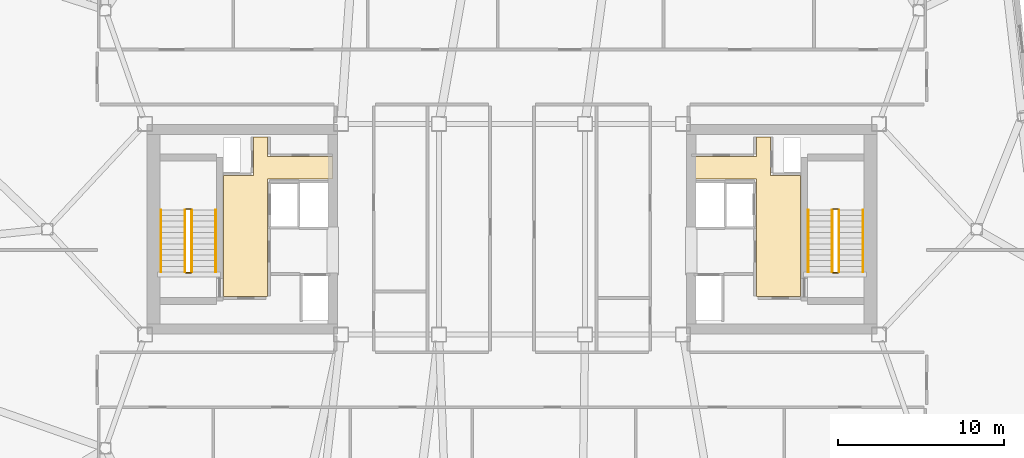
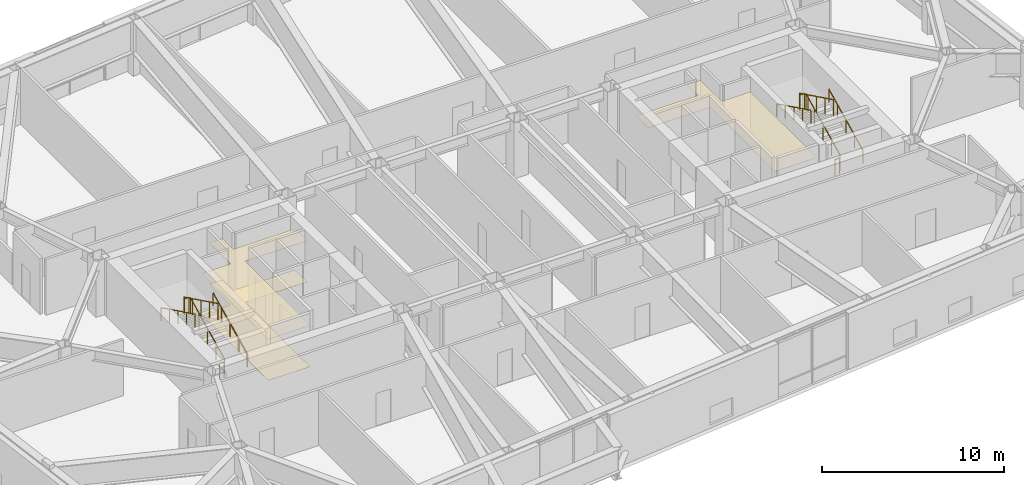
# One storey, part 19 of 20: 12 railings, 3 coverings.
"""IFC4 building model written with IfcOpenShell, lengths in metres."""

from ifc_helpers import new_model, si_unit, direction, frame, origin, origin_2d, place, context, subcontext, project, spatial, polyline, rectangle, outline, extrude, material, layer, layer_set, type_object, element, save


model = new_model("IFC4")

# Units and contexts
model_context = context("Model", 3, precision=1e-05, world=origin(), true_north=direction((0.0, 1.0)))
body_context = subcontext(model_context, "Body", "Model", "MODEL_VIEW")
ifc_project = project(units=[si_unit("LENGTHUNIT", "METRE"), si_unit("AREAUNIT", "SQUARE_METRE"), si_unit("VOLUMEUNIT", "CUBIC_METRE"), si_unit("PLANEANGLEUNIT", "RADIAN"), si_unit("MASSUNIT", "GRAM", prefix="KILO")], contexts=[model_context])

# Site, building, storey
site_placement = place(None, origin())
site = spatial("IfcSite", under=ifc_project, at=site_placement, CompositionType="ELEMENT")
building_placement = place(site_placement, origin())
building = spatial("IfcBuilding", under=site, at=building_placement, Name="Tavrogorsk Clinical Tower", CompositionType="ELEMENT")
storey_placement = place(building_placement, frame((0.0, 0.0, 214.199951171875)))
storey = spatial("IfcBuildingStorey", under=building, at=storey_placement, Name="L49", CompositionType="ELEMENT", Elevation=214.199951171875)

# Coverings
ifc_material_1 = material(Name="Antibacterial micro-perforated aluminium ceiling", Category="aluminium")
ifc_layer_1 = layer(ifc_material_1, 0.014892578125)
ifc_layer_set_1 = layer_set([ifc_layer_1], Name="Antibacterial micro-perforated aluminium ceiling")
covering_type_1 = type_object("IfcCoveringType", Name="ClinicalCeiling_15", PredefinedType="CEILING", material=ifc_layer_set_1)
covering_1_placement = place(storey_placement, frame((0.0, 0.0, 2.75)))
element("IfcCovering", 1, at=covering_1_placement, inside=storey, type_object=covering_type_1, Name="Core West Firefighting Lift Lobby Acoustic Ceiling", PredefinedType="CEILING", context=body_context, shape_type="SweptSolid", body=[
    extrude(outline(polyline([(-14.719970703125, 4.3798828125), (-10.800048828125, 4.3798828125), (-10.800048828125, 3.0400390625), (-14.719970703125, 3.0400390625), (-14.719970703125, -4.06005859375), (-17.3798828125, -4.06005859375), (-17.3798828125, 3.239990234375), (-15.56005859375, 3.239990234375), (-15.56005859375, 5.56005859375), (-14.719970703125, 5.56005859375), (-14.719970703125, 4.3798828125)])), origin(), (0.0, 0.0, 1.0), 0.01513671875),
])
covering_2_placement = place(storey_placement, frame((0.0, 0.0, 2.75)))
element("IfcCovering", 2, at=covering_2_placement, inside=storey, type_object=covering_type_1, Name="Core East Firefighting Lift Lobby Acoustic Ceiling", PredefinedType="CEILING", context=body_context, shape_type="SweptSolid", body=[
    extrude(outline(polyline([(14.719970703125, -4.06005859375), (14.719970703125, 3.0400390625), (10.800048828125, 3.0400390625), (10.800048828125, 4.3798828125), (14.719970703125, 4.3798828125), (14.719970703125, 5.56005859375), (15.56005859375, 5.56005859375), (15.56005859375, 3.239990234375), (17.3798828125, 3.239990234375), (17.3798828125, -4.06005859375), (14.719970703125, -4.06005859375)])), origin(), (0.0, 0.0, 1.0), 0.01513671875),
])
ifc_material_2 = material(Name="Homogeneous medical conductive PVC flooring")
ifc_layer_2 = layer(ifc_material_2, 0.008056640625)
ifc_layer_set_2 = layer_set([ifc_layer_2], Name="Homogeneous medical conductive PVC flooring")
covering_type_2 = type_object("IfcCoveringType", Name="ResilientVinylFloor_8", PredefinedType="FLOORING", material=ifc_layer_set_2)
covering_3_placement = place(storey_placement, origin())
element("IfcCovering", 3, at=covering_3_placement, inside=storey, type_object=covering_type_2, Name="Core West Firefighting Lift Lobby Conductive Vinyl Flooring", PredefinedType="FLOORING", context=body_context, shape_type="SweptSolid", body=[
    extrude(outline(polyline([(-14.719970703125, 4.3798828125), (-10.800048828125, 4.3798828125), (-10.800048828125, 3.0400390625), (-14.719970703125, 3.0400390625), (-14.719970703125, -4.06005859375), (-17.3798828125, -4.06005859375), (-17.3798828125, 3.239990234375), (-15.56005859375, 3.239990234375), (-15.56005859375, 5.56005859375), (-14.719970703125, 5.56005859375), (-14.719970703125, 4.3798828125)])), origin(), (0.0, 0.0, 1.0), 0.008056640625),
])

# Railings
ifc_material_3 = material(Name="Galvanised steel S355 safety stairwell guard", Category="steel")
ifc_layer_3 = layer(ifc_material_3, 0.06005859375)
ifc_layer_set_3 = layer_set([ifc_layer_3], Name="Galvanised steel S355 safety stairwell guard")
railing_type_1 = type_object("IfcRailingType", Name="StairGuard_1150", PredefinedType="GUARDRAIL", material=ifc_layer_set_3)
railing_1_placement = place(storey_placement, frame((-19.300048828125, -2.574951171875, 0.166748046875)))
element("IfcRailing", 4, at=railing_1_placement, inside=storey, type_object=railing_type_1, Name="L49 ST-W stair guard 1", PredefinedType="GUARDRAIL", context=body_context, shape_type="SweptSolid", body=[
    extrude(rectangle(XDim=0.048095703125, YDim=0.048095703125, at=origin_2d()), frame((0.0, 0.0, 1.076171875), z_axis=(0.0, 0.897927990467, 0.440142390523), x_axis=(-1.0, 0.0, 0.0)), (0.0, 0.0, 1.0), 4.1650390625),
    extrude(rectangle(XDim=0.0419921875, YDim=0.0419921875, at=origin_2d()), origin(), (0.0, 0.0, 1.0), 1.052001953125),
    extrude(rectangle(XDim=0.0419921875, YDim=0.0419921875, at=origin_2d()), frame((0.0, 0.93505859375, 0.458251953125)), (0.0, 0.0, 1.0), 1.052001953125),
    extrude(rectangle(XDim=0.0419921875, YDim=0.0419921875, at=origin_2d()), frame((0.0, 1.8701171875, 0.91650390625)), (0.0, 0.0, 1.0), 1.052001953125),
    extrude(rectangle(XDim=0.0419921875, YDim=0.0419921875, at=origin_2d()), frame((0.0, 2.804931640625, 1.375)), (0.0, 0.0, 1.0), 1.052001953125),
    extrude(rectangle(XDim=0.0419921875, YDim=0.0419921875, at=origin_2d()), frame((0.0, 3.739990234375, 1.833251953125)), (0.0, 0.0, 1.0), 1.052001953125),
])
railing_2_placement = place(storey_placement, frame((-19.35009765625, 1.215087890625, 2.0)))
element("IfcRailing", 5, at=railing_2_placement, inside=storey, type_object=railing_type_1, Name="L49 ST-W stair guard 2", PredefinedType="GUARDRAIL", context=body_context, shape_type="SweptSolid", body=[
    extrude(rectangle(XDim=0.048095703125, YDim=0.048095703125, at=origin_2d()), frame((0.0, 0.0, 1.076171875), z_axis=(-1.0, 0.0, 0.0), x_axis=(0.0, -1.0, 0.0)), (0.0, 0.0, 1.0), 0.2998046875),
    extrude(rectangle(XDim=0.0419921875, YDim=0.0419921875, at=origin_2d()), origin(), (0.0, 0.0, 1.0), 1.052001953125),
    extrude(rectangle(XDim=0.0419921875, YDim=0.0419921875, at=origin_2d()), frame((-0.2998046875, 0.0, 0.0)), (0.0, 0.0, 1.0), 1.052001953125),
])
railing_3_placement = place(storey_placement, frame((-19.699951171875, 1.1650390625, 2.166748046875)))
element("IfcRailing", 6, at=railing_3_placement, inside=storey, type_object=railing_type_1, Name="L49 ST-W stair guard 3", PredefinedType="GUARDRAIL", context=body_context, shape_type="SweptSolid", body=[
    extrude(rectangle(XDim=0.048095703125, YDim=0.048095703125, at=origin_2d()), frame((0.0, 0.0, 1.076171875), z_axis=(0.0, -0.897927990467, 0.440142390523), x_axis=(1.0, 0.0, 0.0)), (0.0, 0.0, 1.0), 4.1650390625),
    extrude(rectangle(XDim=0.0419921875, YDim=0.0419921875, at=origin_2d()), origin(), (0.0, 0.0, 1.0), 1.052001953125),
    extrude(rectangle(XDim=0.0419921875, YDim=0.0419921875, at=origin_2d()), frame((0.0, -0.93505859375, 0.458251953125)), (0.0, 0.0, 1.0), 1.052001953125),
    extrude(rectangle(XDim=0.0419921875, YDim=0.0419921875, at=origin_2d()), frame((0.0, -1.8701171875, 0.91650390625)), (0.0, 0.0, 1.0), 1.052001953125),
    extrude(rectangle(XDim=0.0419921875, YDim=0.0419921875, at=origin_2d()), frame((0.0, -2.804931640625, 1.375)), (0.0, 0.0, 1.0), 1.052001953125),
    extrude(rectangle(XDim=0.0419921875, YDim=0.0419921875, at=origin_2d()), frame((0.0, -3.739990234375, 1.833251953125)), (0.0, 0.0, 1.0), 1.052001953125),
])
railing_4_placement = place(storey_placement, frame((-19.35009765625, -2.625, 0.0)))
element("IfcRailing", 7, at=railing_4_placement, inside=storey, type_object=railing_type_1, Name="L49 ST-W stair guard 4", PredefinedType="GUARDRAIL", context=body_context, shape_type="SweptSolid", body=[
    extrude(rectangle(XDim=0.048095703125, YDim=0.048095703125, at=origin_2d()), frame((0.0, 0.0, 1.076171875), z_axis=(-1.0, 0.0, 0.0), x_axis=(0.0, -1.0, 0.0)), (0.0, 0.0, 1.0), 0.2998046875),
    extrude(rectangle(XDim=0.0419921875, YDim=0.0419921875, at=origin_2d()), origin(), (0.0, 0.0, 1.0), 1.052001953125),
    extrude(rectangle(XDim=0.0419921875, YDim=0.0419921875, at=origin_2d()), frame((-0.2998046875, 0.0, 0.0)), (0.0, 0.0, 1.0), 1.052001953125),
])
railing_5_placement = place(storey_placement, frame((19.699951171875, -2.574951171875, 0.166748046875)))
element("IfcRailing", 8, at=railing_5_placement, inside=storey, type_object=railing_type_1, Name="L49 ST-E stair guard 1", PredefinedType="GUARDRAIL", context=body_context, shape_type="SweptSolid", body=[
    extrude(rectangle(XDim=0.048095703125, YDim=0.048095703125, at=origin_2d()), frame((0.0, 0.0, 1.076171875), z_axis=(0.0, 0.897927990467, 0.440142390523), x_axis=(-1.0, 0.0, 0.0)), (0.0, 0.0, 1.0), 4.1650390625),
    extrude(rectangle(XDim=0.0419921875, YDim=0.0419921875, at=origin_2d()), origin(), (0.0, 0.0, 1.0), 1.052001953125),
    extrude(rectangle(XDim=0.0419921875, YDim=0.0419921875, at=origin_2d()), frame((0.0, 0.93505859375, 0.458251953125)), (0.0, 0.0, 1.0), 1.052001953125),
    extrude(rectangle(XDim=0.0419921875, YDim=0.0419921875, at=origin_2d()), frame((0.0, 1.8701171875, 0.91650390625)), (0.0, 0.0, 1.0), 1.052001953125),
    extrude(rectangle(XDim=0.0419921875, YDim=0.0419921875, at=origin_2d()), frame((0.0, 2.804931640625, 1.375)), (0.0, 0.0, 1.0), 1.052001953125),
    extrude(rectangle(XDim=0.0419921875, YDim=0.0419921875, at=origin_2d()), frame((0.0, 3.739990234375, 1.833251953125)), (0.0, 0.0, 1.0), 1.052001953125),
])
railing_6_placement = place(storey_placement, frame((19.64990234375, 1.215087890625, 2.0)))
element("IfcRailing", 9, at=railing_6_placement, inside=storey, type_object=railing_type_1, Name="L49 ST-E stair guard 2", PredefinedType="GUARDRAIL", context=body_context, shape_type="SweptSolid", body=[
    extrude(rectangle(XDim=0.048095703125, YDim=0.048095703125, at=origin_2d()), frame((0.0, 0.0, 1.076171875), z_axis=(-1.0, 0.0, 0.0), x_axis=(0.0, -1.0, 0.0)), (0.0, 0.0, 1.0), 0.2998046875),
    extrude(rectangle(XDim=0.0419921875, YDim=0.0419921875, at=origin_2d()), origin(), (0.0, 0.0, 1.0), 1.052001953125),
    extrude(rectangle(XDim=0.0419921875, YDim=0.0419921875, at=origin_2d()), frame((-0.2998046875, 0.0, 0.0)), (0.0, 0.0, 1.0), 1.052001953125),
])
railing_7_placement = place(storey_placement, frame((19.300048828125, 1.1650390625, 2.166748046875)))
element("IfcRailing", 10, at=railing_7_placement, inside=storey, type_object=railing_type_1, Name="L49 ST-E stair guard 3", PredefinedType="GUARDRAIL", context=body_context, shape_type="SweptSolid", body=[
    extrude(rectangle(XDim=0.048095703125, YDim=0.048095703125, at=origin_2d()), frame((0.0, 0.0, 1.076171875), z_axis=(0.0, -0.897927990467, 0.440142390523), x_axis=(1.0, 0.0, 0.0)), (0.0, 0.0, 1.0), 4.1650390625),
    extrude(rectangle(XDim=0.0419921875, YDim=0.0419921875, at=origin_2d()), origin(), (0.0, 0.0, 1.0), 1.052001953125),
    extrude(rectangle(XDim=0.0419921875, YDim=0.0419921875, at=origin_2d()), frame((0.0, -0.93505859375, 0.458251953125)), (0.0, 0.0, 1.0), 1.052001953125),
    extrude(rectangle(XDim=0.0419921875, YDim=0.0419921875, at=origin_2d()), frame((0.0, -1.8701171875, 0.91650390625)), (0.0, 0.0, 1.0), 1.052001953125),
    extrude(rectangle(XDim=0.0419921875, YDim=0.0419921875, at=origin_2d()), frame((0.0, -2.804931640625, 1.375)), (0.0, 0.0, 1.0), 1.052001953125),
    extrude(rectangle(XDim=0.0419921875, YDim=0.0419921875, at=origin_2d()), frame((0.0, -3.739990234375, 1.833251953125)), (0.0, 0.0, 1.0), 1.052001953125),
])
railing_8_placement = place(storey_placement, frame((19.64990234375, -2.625, 0.0)))
element("IfcRailing", 11, at=railing_8_placement, inside=storey, type_object=railing_type_1, Name="L49 ST-E stair guard 4", PredefinedType="GUARDRAIL", context=body_context, shape_type="SweptSolid", body=[
    extrude(rectangle(XDim=0.048095703125, YDim=0.048095703125, at=origin_2d()), frame((0.0, 0.0, 1.076171875), z_axis=(-1.0, 0.0, 0.0), x_axis=(0.0, -1.0, 0.0)), (0.0, 0.0, 1.0), 0.2998046875),
    extrude(rectangle(XDim=0.0419921875, YDim=0.0419921875, at=origin_2d()), origin(), (0.0, 0.0, 1.0), 1.052001953125),
    extrude(rectangle(XDim=0.0419921875, YDim=0.0419921875, at=origin_2d()), frame((-0.2998046875, 0.0, 0.0)), (0.0, 0.0, 1.0), 1.052001953125),
])
ifc_material_4 = material(Name="Stainless steel AISI 304 tubular handrail", Category="steel")
ifc_layer_4 = layer(ifc_material_4, 0.050048828125)
ifc_layer_set_4 = layer_set([ifc_layer_4], Name="Stainless steel AISI 304 tubular handrail")
railing_type_2 = type_object("IfcRailingType", Name="StairHandrail_920", PredefinedType="HANDRAIL", material=ifc_layer_set_4)
railing_9_placement = place(storey_placement, frame((-17.85009765625, -2.574951171875, 0.166748046875)))
element("IfcRailing", 12, at=railing_9_placement, inside=storey, type_object=railing_type_2, Name="L49 ST-W stair handrail 1", PredefinedType="HANDRAIL", context=body_context, shape_type="SweptSolid", body=[
    extrude(rectangle(XDim=0.048095703125, YDim=0.048095703125, at=origin_2d()), frame((0.0, 0.0, 0.8759765625), z_axis=(0.0, 0.897927990467, 0.440142390523), x_axis=(-1.0, 0.0, 0.0)), (0.0, 0.0, 1.0), 4.1650390625),
    extrude(rectangle(XDim=0.0419921875, YDim=0.0419921875, at=origin_2d()), origin(), (0.0, 0.0, 1.0), 0.851806640625),
    extrude(rectangle(XDim=0.0419921875, YDim=0.0419921875, at=origin_2d()), frame((0.0, 0.93505859375, 0.458251953125)), (0.0, 0.0, 1.0), 0.851806640625),
    extrude(rectangle(XDim=0.0419921875, YDim=0.0419921875, at=origin_2d()), frame((0.0, 1.8701171875, 0.91650390625)), (0.0, 0.0, 1.0), 0.851806640625),
    extrude(rectangle(XDim=0.0419921875, YDim=0.0419921875, at=origin_2d()), frame((0.0, 2.804931640625, 1.375)), (0.0, 0.0, 1.0), 0.851806640625),
    extrude(rectangle(XDim=0.0419921875, YDim=0.0419921875, at=origin_2d()), frame((0.0, 3.739990234375, 1.833251953125)), (0.0, 0.0, 1.0), 0.851806640625),
])
railing_10_placement = place(storey_placement, frame((-21.14990234375, 1.1650390625, 2.166748046875)))
element("IfcRailing", 13, at=railing_10_placement, inside=storey, type_object=railing_type_2, Name="L49 ST-W stair handrail 2", PredefinedType="HANDRAIL", context=body_context, shape_type="SweptSolid", body=[
    extrude(rectangle(XDim=0.048095703125, YDim=0.048095703125, at=origin_2d()), frame((0.0, 0.0, 0.8759765625), z_axis=(0.0, -0.897927990467, 0.440142390523), x_axis=(1.0, 0.0, 0.0)), (0.0, 0.0, 1.0), 4.1650390625),
    extrude(rectangle(XDim=0.0419921875, YDim=0.0419921875, at=origin_2d()), origin(), (0.0, 0.0, 1.0), 0.851806640625),
    extrude(rectangle(XDim=0.0419921875, YDim=0.0419921875, at=origin_2d()), frame((0.0, -0.93505859375, 0.458251953125)), (0.0, 0.0, 1.0), 0.851806640625),
    extrude(rectangle(XDim=0.0419921875, YDim=0.0419921875, at=origin_2d()), frame((0.0, -1.8701171875, 0.91650390625)), (0.0, 0.0, 1.0), 0.851806640625),
    extrude(rectangle(XDim=0.0419921875, YDim=0.0419921875, at=origin_2d()), frame((0.0, -2.804931640625, 1.375)), (0.0, 0.0, 1.0), 0.851806640625),
    extrude(rectangle(XDim=0.0419921875, YDim=0.0419921875, at=origin_2d()), frame((0.0, -3.739990234375, 1.833251953125)), (0.0, 0.0, 1.0), 0.851806640625),
])
railing_11_placement = place(storey_placement, frame((21.14990234375, -2.574951171875, 0.166748046875)))
element("IfcRailing", 14, at=railing_11_placement, inside=storey, type_object=railing_type_2, Name="L49 ST-E stair handrail 1", PredefinedType="HANDRAIL", context=body_context, shape_type="SweptSolid", body=[
    extrude(rectangle(XDim=0.048095703125, YDim=0.048095703125, at=origin_2d()), frame((0.0, 0.0, 0.8759765625), z_axis=(0.0, 0.897927990467, 0.440142390523), x_axis=(-1.0, 0.0, 0.0)), (0.0, 0.0, 1.0), 4.1650390625),
    extrude(rectangle(XDim=0.0419921875, YDim=0.0419921875, at=origin_2d()), origin(), (0.0, 0.0, 1.0), 0.851806640625),
    extrude(rectangle(XDim=0.0419921875, YDim=0.0419921875, at=origin_2d()), frame((0.0, 0.93505859375, 0.458251953125)), (0.0, 0.0, 1.0), 0.851806640625),
    extrude(rectangle(XDim=0.0419921875, YDim=0.0419921875, at=origin_2d()), frame((0.0, 1.8701171875, 0.91650390625)), (0.0, 0.0, 1.0), 0.851806640625),
    extrude(rectangle(XDim=0.0419921875, YDim=0.0419921875, at=origin_2d()), frame((0.0, 2.804931640625, 1.375)), (0.0, 0.0, 1.0), 0.851806640625),
    extrude(rectangle(XDim=0.0419921875, YDim=0.0419921875, at=origin_2d()), frame((0.0, 3.739990234375, 1.833251953125)), (0.0, 0.0, 1.0), 0.851806640625),
])
railing_12_placement = place(storey_placement, frame((17.85009765625, 1.1650390625, 2.166748046875)))
element("IfcRailing", 15, at=railing_12_placement, inside=storey, type_object=railing_type_2, Name="L49 ST-E stair handrail 2", PredefinedType="HANDRAIL", context=body_context, shape_type="SweptSolid", body=[
    extrude(rectangle(XDim=0.048095703125, YDim=0.048095703125, at=origin_2d()), frame((0.0, 0.0, 0.8759765625), z_axis=(0.0, -0.897927990467, 0.440142390523), x_axis=(1.0, 0.0, 0.0)), (0.0, 0.0, 1.0), 4.1650390625),
    extrude(rectangle(XDim=0.0419921875, YDim=0.0419921875, at=origin_2d()), origin(), (0.0, 0.0, 1.0), 0.851806640625),
    extrude(rectangle(XDim=0.0419921875, YDim=0.0419921875, at=origin_2d()), frame((0.0, -0.93505859375, 0.458251953125)), (0.0, 0.0, 1.0), 0.851806640625),
    extrude(rectangle(XDim=0.0419921875, YDim=0.0419921875, at=origin_2d()), frame((0.0, -1.8701171875, 0.91650390625)), (0.0, 0.0, 1.0), 0.851806640625),
    extrude(rectangle(XDim=0.0419921875, YDim=0.0419921875, at=origin_2d()), frame((0.0, -2.804931640625, 1.375)), (0.0, 0.0, 1.0), 0.851806640625),
    extrude(rectangle(XDim=0.0419921875, YDim=0.0419921875, at=origin_2d()), frame((0.0, -3.739990234375, 1.833251953125)), (0.0, 0.0, 1.0), 0.851806640625),
])

save(model, "model.ifc")
